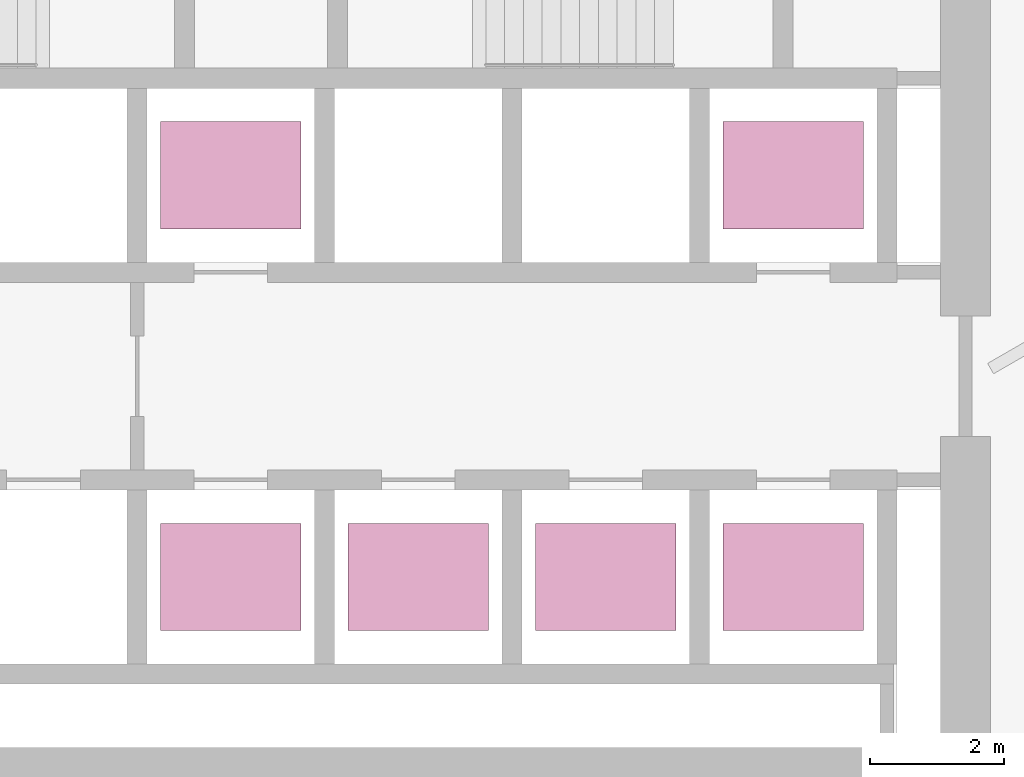
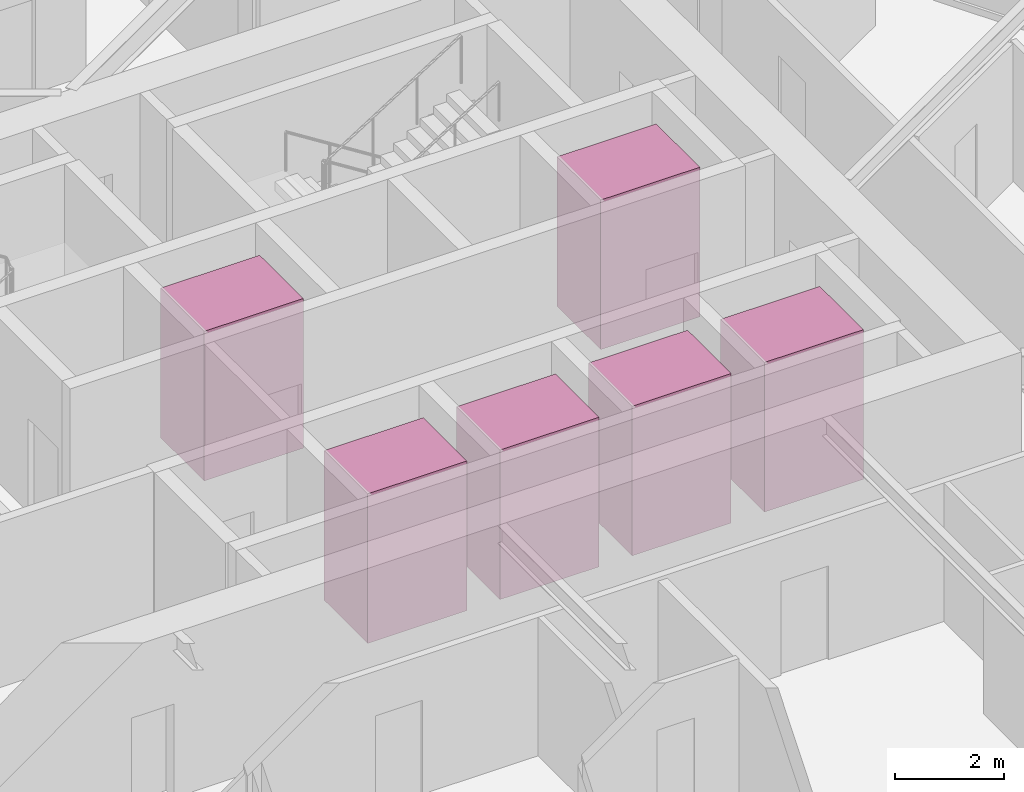
# One storey, part 23 of 23: 6 transport elements.
"""IFC4 building model written with IfcOpenShell, lengths in metres."""

from ifc_helpers import new_model, si_unit, direction, frame, origin, origin_2d, place, context, subcontext, project, spatial, rectangle, extrude, material, type_object, element, save


model = new_model("IFC4")

# Units and contexts
model_context = context("Model", 3, precision=1e-05, world=origin(), true_north=direction((0.0, 1.0)))
body_context = subcontext(model_context, "Body", "Model", "MODEL_VIEW")
ifc_project = project(units=[si_unit("LENGTHUNIT", "METRE"), si_unit("AREAUNIT", "SQUARE_METRE"), si_unit("VOLUMEUNIT", "CUBIC_METRE"), si_unit("PLANEANGLEUNIT", "RADIAN"), si_unit("MASSUNIT", "GRAM", prefix="KILO")], contexts=[model_context])

# Site, building, storey
site_placement = place(None, origin())
site = spatial("IfcSite", under=ifc_project, at=site_placement, CompositionType="ELEMENT")
building_placement = place(site_placement, origin())
building = spatial("IfcBuilding", under=site, at=building_placement, Name="Firuza Gate Tower and Library", CompositionType="ELEMENT")
storey_placement = place(building_placement, frame((0.0, 0.0, 202.60009765625)))
storey = spatial("IfcBuildingStorey", under=building, at=storey_placement, Name="L47", CompositionType="ELEMENT", Elevation=202.60009765625)

# Transport elements
ifc_material = material(Name="Stainless steel and glass", Category="steel")
transport_element_type = type_object("IfcTransportElementType", Name="Mid-rise lift car 2100x1600", PredefinedType="ELEVATOR", material=ifc_material)
for number, where, z_axis, x_axis, name in (
    (1, (74.64990234375, 70.300048828125, -0.000244140625), (0.0, 0.0, 1.0), (1.0, 0.0, 0.0), "Mid-rise lift MR1"),
    (2, (77.449951171875, 70.300048828125, -0.000244140625), (0.0, 0.0, 1.0), (1.0, 0.0, 0.0), "Mid-rise lift MR2"),
    (3, (80.25, 70.300048828125, -0.000244140625), (0.0, 0.0, 1.0), (1.0, 0.0, 0.0), "Mid-rise lift MR3"),
    (4, (74.64990234375, 76.300048828125, -0.000244140625), (0.0, 0.0, 1.0), (1.0, 0.0, 0.0), "Mid-rise lift MR4"),
    (5, (83.050048828125, 70.300048828125, -0.000244140625), (0.0, 0.0, 1.0), (1.0, 0.0, 0.0), "Mid-rise lift MR5"),
    (6, (83.050048828125, 76.300048828125, -0.000244140625), (0.0, 0.0, 1.0), (1.0, 0.0, 0.0), "Mid-rise lift MR6"),
):
    element("IfcTransportElement", number, at=place(storey_placement, frame(where, z_axis=z_axis, x_axis=x_axis)), inside=storey, type_object=transport_element_type, Name=name, PredefinedType="ELEVATOR", context=body_context, shape_type="SweptSolid", body=[
        extrude(rectangle(XDim=2.10009765625, YDim=1.60009765625, at=origin_2d()), origin(), (0.0, 0.0, 1.0), 3.35009765625),
    ])

save(model, "model.ifc")
